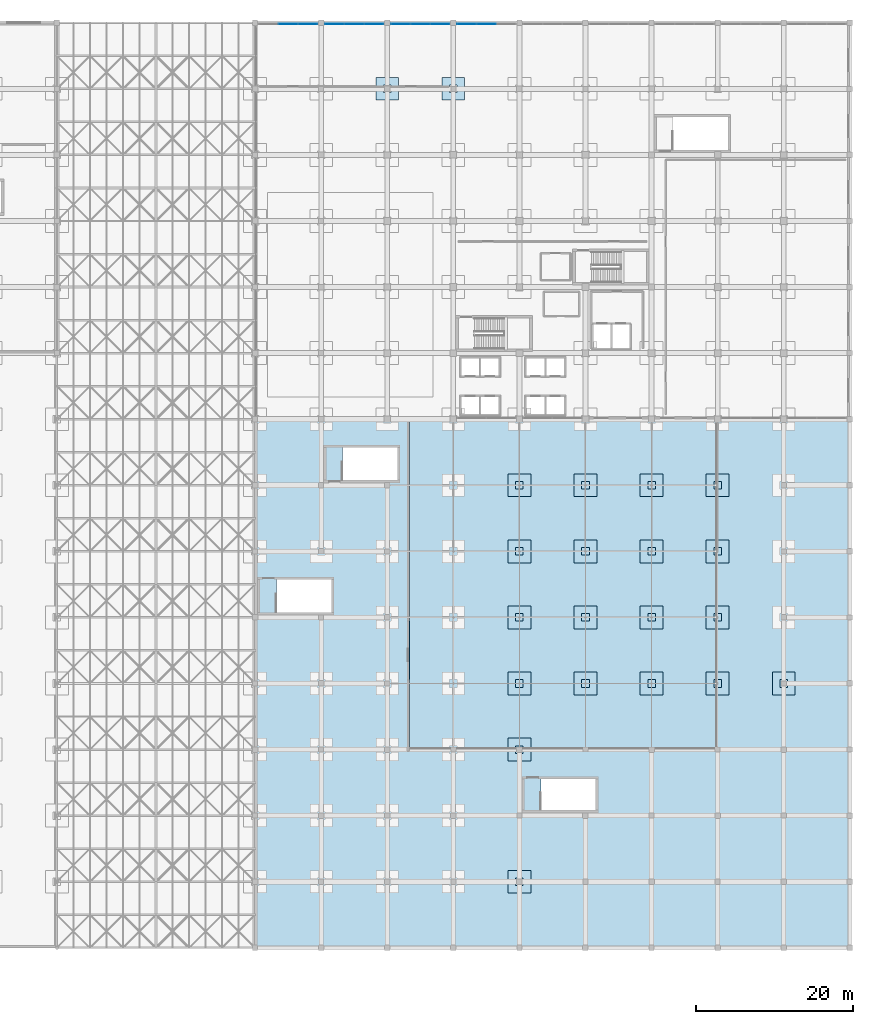
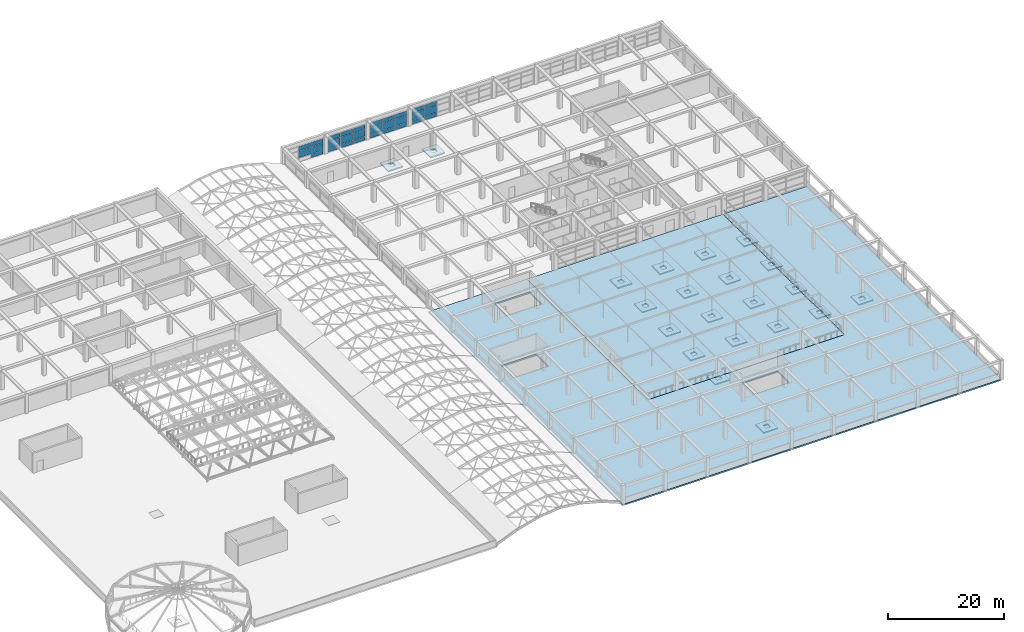
# One storey, part 70 of 85: 29 plates, 23 slabs, 4 elements without a shape of their own.
"""IFC4 building model written with IfcOpenShell, lengths in metres."""

from ifc_helpers import new_model, si_unit, direction, frame, origin, origin_2d, place, context, subcontext, project, spatial, polyline, rectangle, outline, extrude, material, layer, layer_set, type_object, element, aggregate, save


model = new_model("IFC4")

# Units and contexts
model_context = context("Model", 3, precision=1e-05, world=origin(), true_north=direction((0.0, 1.0)))
body_context = subcontext(model_context, "Body", "Model", "MODEL_VIEW")
ifc_project = project(units=[si_unit("LENGTHUNIT", "METRE"), si_unit("AREAUNIT", "SQUARE_METRE"), si_unit("VOLUMEUNIT", "CUBIC_METRE"), si_unit("PLANEANGLEUNIT", "RADIAN"), si_unit("MASSUNIT", "GRAM", prefix="KILO")], contexts=[model_context])

# Site, building, storey
site_placement = place(None, origin())
site = spatial("IfcSite", under=ifc_project, at=site_placement, CompositionType="ELEMENT")
building_placement = place(site_placement, origin())
building = spatial("IfcBuilding", under=site, at=building_placement, Name="Almacenes y Pasaje Nevantli", CompositionType="ELEMENT")
storey_placement = place(building_placement, frame((0.0, 0.0, 22.199951171875)))
storey = spatial("IfcBuildingStorey", under=building, at=storey_placement, Name="L05", CompositionType="ELEMENT", Elevation=22.199951171875)

# Curtain wall, plates
ifc_material_1 = material(Name="Thermally Broken Aluminium and Low-E Glass", Category="aluminium")
curtain_wall_type = type_object("IfcCurtainWallType", Name="CW-UNIT-PODIUM", PredefinedType="USERDEFINED", material=ifc_material_1)
curtain_wall_1_placement = place(storey_placement, origin())
curtain_wall_1 = element("IfcCurtainWall", 1, at=curtain_wall_1_placement, inside=storey, type_object=curtain_wall_type, Name="L05 Sky-Lobby North Curtain Wall Bay 12", ObjectType="UNITIZED CURTAIN WALL", PredefinedType="USERDEFINED")
ifc_material_2 = material(Name="Low-E Double Glazed Insulated Unit", Category="glass")
ifc_layer_1 = layer(ifc_material_2, 0.031982421875)
ifc_layer_set_1 = layer_set([ifc_layer_1], Name="Low-E Double Glazed Insulated Unit")
plate_type = type_object("IfcPlateType", Name="PL-IGU-32", PredefinedType="CURTAIN_PANEL", material=ifc_layer_set_1)
plate_1_placement = place(storey_placement, frame((96.60009765625, 117.449951171875, 0.927734375), z_axis=(0.0, 0.0, 1.0), x_axis=(1.0, 0.0, 0.0)))
plate_1 = element("IfcPlate", 2, at=plate_1_placement, type_object=plate_type, Name="CW-L05-083 panel 2.2", PredefinedType="CURTAIN_PANEL", context=body_context, shape_type="SweptSolid", body=[
    extrude(rectangle(XDim=2.445068359375, YDim=0.031982421875, at=origin_2d()), origin(), (0.0, 0.0, 1.0), 1.445068359375),
])
plate_2_placement = place(storey_placement, frame((96.60009765625, 117.449951171875, 2.427734375), z_axis=(0.0, 0.0, 1.0), x_axis=(1.0, 0.0, 0.0)))
plate_2 = element("IfcPlate", 3, at=plate_2_placement, type_object=plate_type, Name="CW-L05-083 panel 2.3", PredefinedType="CURTAIN_PANEL", context=body_context, shape_type="SweptSolid", body=[
    extrude(rectangle(XDim=2.445068359375, YDim=0.031982421875, at=origin_2d()), origin(), (0.0, 0.0, 1.0), 0.887451171875),
])
plate_3_placement = place(storey_placement, frame((99.086181640625, 117.449951171875, 0.05517578125), z_axis=(0.0, 0.0, 1.0), x_axis=(1.0, 0.0, 0.0)))
plate_3 = element("IfcPlate", 4, at=plate_3_placement, type_object=plate_type, Name="CW-L05-083 panel 3.1", PredefinedType="CURTAIN_PANEL", context=body_context, shape_type="SweptSolid", body=[
    extrude(rectangle(XDim=2.41748046875, YDim=0.031982421875, at=origin_2d()), origin(), (0.0, 0.0, 1.0), 0.8173828125),
])
plate_4_placement = place(storey_placement, frame((99.086181640625, 117.449951171875, 0.927734375), z_axis=(0.0, 0.0, 1.0), x_axis=(1.0, 0.0, 0.0)))
plate_4 = element("IfcPlate", 5, at=plate_4_placement, type_object=plate_type, Name="CW-L05-083 panel 3.2", PredefinedType="CURTAIN_PANEL", context=body_context, shape_type="SweptSolid", body=[
    extrude(rectangle(XDim=2.41748046875, YDim=0.031982421875, at=origin_2d()), origin(), (0.0, 0.0, 1.0), 1.445068359375),
])
plate_5_placement = place(storey_placement, frame((99.086181640625, 117.449951171875, 2.427734375), z_axis=(0.0, 0.0, 1.0), x_axis=(1.0, 0.0, 0.0)))
plate_5 = element("IfcPlate", 6, at=plate_5_placement, type_object=plate_type, Name="CW-L05-083 panel 3.3", PredefinedType="CURTAIN_PANEL", context=body_context, shape_type="SweptSolid", body=[
    extrude(rectangle(XDim=2.41748046875, YDim=0.031982421875, at=origin_2d()), origin(), (0.0, 0.0, 1.0), 0.887451171875),
])
aggregate(curtain_wall_1, [plate_1, plate_2, plate_3, plate_4, plate_5])

curtain_wall_2_placement = place(storey_placement, origin())
curtain_wall_2 = element("IfcCurtainWall", 7, at=curtain_wall_2_placement, inside=storey, type_object=curtain_wall_type, Name="L05 Sky-Lobby North Curtain Wall Bay 13", ObjectType="UNITIZED CURTAIN WALL", PredefinedType="USERDEFINED")
plate_6_placement = place(storey_placement, frame((102.513671875, 117.449951171875, 0.05517578125), z_axis=(0.0, 0.0, 1.0), x_axis=(1.0, 0.0, 0.0)))
plate_6 = element("IfcPlate", 8, at=plate_6_placement, type_object=plate_type, Name="CW-L05-084 panel 1.1", PredefinedType="CURTAIN_PANEL", context=body_context, shape_type="SweptSolid", body=[
    extrude(rectangle(XDim=2.41748046875, YDim=0.031982421875, at=origin_2d()), origin(), (0.0, 0.0, 1.0), 0.8173828125),
])
plate_7_placement = place(storey_placement, frame((102.513671875, 117.449951171875, 0.927734375), z_axis=(0.0, 0.0, 1.0), x_axis=(1.0, 0.0, 0.0)))
plate_7 = element("IfcPlate", 9, at=plate_7_placement, type_object=plate_type, Name="CW-L05-084 panel 1.2", PredefinedType="CURTAIN_PANEL", context=body_context, shape_type="SweptSolid", body=[
    extrude(rectangle(XDim=2.41748046875, YDim=0.031982421875, at=origin_2d()), origin(), (0.0, 0.0, 1.0), 1.445068359375),
])
plate_8_placement = place(storey_placement, frame((102.513671875, 117.449951171875, 2.427734375), z_axis=(0.0, 0.0, 1.0), x_axis=(1.0, 0.0, 0.0)))
plate_8 = element("IfcPlate", 10, at=plate_8_placement, type_object=plate_type, Name="CW-L05-084 panel 1.3", PredefinedType="CURTAIN_PANEL", context=body_context, shape_type="SweptSolid", body=[
    extrude(rectangle(XDim=2.41748046875, YDim=0.031982421875, at=origin_2d()), origin(), (0.0, 0.0, 1.0), 0.887451171875),
])
plate_9_placement = place(storey_placement, frame((105.0, 117.449951171875, 0.05517578125), z_axis=(0.0, 0.0, 1.0), x_axis=(1.0, 0.0, 0.0)))
plate_9 = element("IfcPlate", 11, at=plate_9_placement, type_object=plate_type, Name="CW-L05-084 panel 2.1", PredefinedType="CURTAIN_PANEL", context=body_context, shape_type="SweptSolid", body=[
    extrude(rectangle(XDim=2.445068359375, YDim=0.031982421875, at=origin_2d()), origin(), (0.0, 0.0, 1.0), 0.8173828125),
])
plate_10_placement = place(storey_placement, frame((105.0, 117.449951171875, 0.927734375), z_axis=(0.0, 0.0, 1.0), x_axis=(1.0, 0.0, 0.0)))
plate_10 = element("IfcPlate", 12, at=plate_10_placement, type_object=plate_type, Name="CW-L05-084 panel 2.2", PredefinedType="CURTAIN_PANEL", context=body_context, shape_type="SweptSolid", body=[
    extrude(rectangle(XDim=2.445068359375, YDim=0.031982421875, at=origin_2d()), origin(), (0.0, 0.0, 1.0), 1.445068359375),
])
plate_11_placement = place(storey_placement, frame((105.0, 117.449951171875, 2.427734375), z_axis=(0.0, 0.0, 1.0), x_axis=(1.0, 0.0, 0.0)))
plate_11 = element("IfcPlate", 13, at=plate_11_placement, type_object=plate_type, Name="CW-L05-084 panel 2.3", PredefinedType="CURTAIN_PANEL", context=body_context, shape_type="SweptSolid", body=[
    extrude(rectangle(XDim=2.445068359375, YDim=0.031982421875, at=origin_2d()), origin(), (0.0, 0.0, 1.0), 0.887451171875),
])
plate_12_placement = place(storey_placement, frame((107.486328125, 117.449951171875, 0.05517578125), z_axis=(0.0, 0.0, 1.0), x_axis=(1.0, 0.0, 0.0)))
plate_12 = element("IfcPlate", 14, at=plate_12_placement, type_object=plate_type, Name="CW-L05-084 panel 3.1", PredefinedType="CURTAIN_PANEL", context=body_context, shape_type="SweptSolid", body=[
    extrude(rectangle(XDim=2.41748046875, YDim=0.031982421875, at=origin_2d()), origin(), (0.0, 0.0, 1.0), 0.8173828125),
])
plate_13_placement = place(storey_placement, frame((107.486328125, 117.449951171875, 0.927734375), z_axis=(0.0, 0.0, 1.0), x_axis=(1.0, 0.0, 0.0)))
plate_13 = element("IfcPlate", 15, at=plate_13_placement, type_object=plate_type, Name="CW-L05-084 panel 3.2", PredefinedType="CURTAIN_PANEL", context=body_context, shape_type="SweptSolid", body=[
    extrude(rectangle(XDim=2.41748046875, YDim=0.031982421875, at=origin_2d()), origin(), (0.0, 0.0, 1.0), 1.445068359375),
])
plate_14_placement = place(storey_placement, frame((107.486328125, 117.449951171875, 2.427734375), z_axis=(0.0, 0.0, 1.0), x_axis=(1.0, 0.0, 0.0)))
plate_14 = element("IfcPlate", 16, at=plate_14_placement, type_object=plate_type, Name="CW-L05-084 panel 3.3", PredefinedType="CURTAIN_PANEL", context=body_context, shape_type="SweptSolid", body=[
    extrude(rectangle(XDim=2.41748046875, YDim=0.031982421875, at=origin_2d()), origin(), (0.0, 0.0, 1.0), 0.887451171875),
])
aggregate(curtain_wall_2, [plate_6, plate_7, plate_8, plate_9, plate_10, plate_11, plate_12, plate_13, plate_14])

curtain_wall_3_placement = place(storey_placement, origin())
curtain_wall_3 = element("IfcCurtainWall", 17, at=curtain_wall_3_placement, inside=storey, type_object=curtain_wall_type, Name="L05 Sky-Lobby North Curtain Wall Bay 14", ObjectType="UNITIZED CURTAIN WALL", PredefinedType="USERDEFINED")
plate_15_placement = place(storey_placement, frame((110.913818359375, 117.449951171875, 0.05517578125), z_axis=(0.0, 0.0, 1.0), x_axis=(1.0, 0.0, 0.0)))
plate_15 = element("IfcPlate", 18, at=plate_15_placement, type_object=plate_type, Name="CW-L05-085 panel 1.1", PredefinedType="CURTAIN_PANEL", context=body_context, shape_type="SweptSolid", body=[
    extrude(rectangle(XDim=2.41748046875, YDim=0.031982421875, at=origin_2d()), origin(), (0.0, 0.0, 1.0), 0.8173828125),
])
plate_16_placement = place(storey_placement, frame((110.913818359375, 117.449951171875, 0.927734375), z_axis=(0.0, 0.0, 1.0), x_axis=(1.0, 0.0, 0.0)))
plate_16 = element("IfcPlate", 19, at=plate_16_placement, type_object=plate_type, Name="CW-L05-085 panel 1.2", PredefinedType="CURTAIN_PANEL", context=body_context, shape_type="SweptSolid", body=[
    extrude(rectangle(XDim=2.41748046875, YDim=0.031982421875, at=origin_2d()), origin(), (0.0, 0.0, 1.0), 1.445068359375),
])
plate_17_placement = place(storey_placement, frame((110.913818359375, 117.449951171875, 2.427734375), z_axis=(0.0, 0.0, 1.0), x_axis=(1.0, 0.0, 0.0)))
plate_17 = element("IfcPlate", 20, at=plate_17_placement, type_object=plate_type, Name="CW-L05-085 panel 1.3", PredefinedType="CURTAIN_PANEL", context=body_context, shape_type="SweptSolid", body=[
    extrude(rectangle(XDim=2.41748046875, YDim=0.031982421875, at=origin_2d()), origin(), (0.0, 0.0, 1.0), 0.887451171875),
])
plate_18_placement = place(storey_placement, frame((113.39990234375, 117.449951171875, 0.05517578125), z_axis=(0.0, 0.0, 1.0), x_axis=(1.0, 0.0, 0.0)))
plate_18 = element("IfcPlate", 21, at=plate_18_placement, type_object=plate_type, Name="CW-L05-085 panel 2.1", PredefinedType="CURTAIN_PANEL", context=body_context, shape_type="SweptSolid", body=[
    extrude(rectangle(XDim=2.445068359375, YDim=0.031982421875, at=origin_2d()), origin(), (0.0, 0.0, 1.0), 0.8173828125),
])
plate_19_placement = place(storey_placement, frame((113.39990234375, 117.449951171875, 0.927734375), z_axis=(0.0, 0.0, 1.0), x_axis=(1.0, 0.0, 0.0)))
plate_19 = element("IfcPlate", 22, at=plate_19_placement, type_object=plate_type, Name="CW-L05-085 panel 2.2", PredefinedType="CURTAIN_PANEL", context=body_context, shape_type="SweptSolid", body=[
    extrude(rectangle(XDim=2.445068359375, YDim=0.031982421875, at=origin_2d()), origin(), (0.0, 0.0, 1.0), 1.445068359375),
])
plate_20_placement = place(storey_placement, frame((113.39990234375, 117.449951171875, 2.427734375), z_axis=(0.0, 0.0, 1.0), x_axis=(1.0, 0.0, 0.0)))
plate_20 = element("IfcPlate", 23, at=plate_20_placement, type_object=plate_type, Name="CW-L05-085 panel 2.3", PredefinedType="CURTAIN_PANEL", context=body_context, shape_type="SweptSolid", body=[
    extrude(rectangle(XDim=2.445068359375, YDim=0.031982421875, at=origin_2d()), origin(), (0.0, 0.0, 1.0), 0.887451171875),
])
plate_21_placement = place(storey_placement, frame((115.88623046875, 117.449951171875, 0.05517578125), z_axis=(0.0, 0.0, 1.0), x_axis=(1.0, 0.0, 0.0)))
plate_21 = element("IfcPlate", 24, at=plate_21_placement, type_object=plate_type, Name="CW-L05-085 panel 3.1", PredefinedType="CURTAIN_PANEL", context=body_context, shape_type="SweptSolid", body=[
    extrude(rectangle(XDim=2.41748046875, YDim=0.031982421875, at=origin_2d()), origin(), (0.0, 0.0, 1.0), 0.8173828125),
])
plate_22_placement = place(storey_placement, frame((115.88623046875, 117.449951171875, 0.927734375), z_axis=(0.0, 0.0, 1.0), x_axis=(1.0, 0.0, 0.0)))
plate_22 = element("IfcPlate", 25, at=plate_22_placement, type_object=plate_type, Name="CW-L05-085 panel 3.2", PredefinedType="CURTAIN_PANEL", context=body_context, shape_type="SweptSolid", body=[
    extrude(rectangle(XDim=2.41748046875, YDim=0.031982421875, at=origin_2d()), origin(), (0.0, 0.0, 1.0), 1.445068359375),
])
plate_23_placement = place(storey_placement, frame((115.88623046875, 117.449951171875, 2.427734375), z_axis=(0.0, 0.0, 1.0), x_axis=(1.0, 0.0, 0.0)))
plate_23 = element("IfcPlate", 26, at=plate_23_placement, type_object=plate_type, Name="CW-L05-085 panel 3.3", PredefinedType="CURTAIN_PANEL", context=body_context, shape_type="SweptSolid", body=[
    extrude(rectangle(XDim=2.41748046875, YDim=0.031982421875, at=origin_2d()), origin(), (0.0, 0.0, 1.0), 0.887451171875),
])
aggregate(curtain_wall_3, [plate_15, plate_16, plate_17, plate_18, plate_19, plate_20, plate_21, plate_22, plate_23])

curtain_wall_4_placement = place(storey_placement, origin())
curtain_wall_4 = element("IfcCurtainWall", 27, at=curtain_wall_4_placement, inside=storey, type_object=curtain_wall_type, Name="L05 Sky-Lobby North Curtain Wall Bay 15", ObjectType="UNITIZED CURTAIN WALL", PredefinedType="USERDEFINED")
plate_24_placement = place(storey_placement, frame((119.313720703125, 117.449951171875, 0.05517578125), z_axis=(0.0, 0.0, 1.0), x_axis=(1.0, 0.0, 0.0)))
plate_24 = element("IfcPlate", 28, at=plate_24_placement, type_object=plate_type, Name="CW-L05-086 panel 1.1", PredefinedType="CURTAIN_PANEL", context=body_context, shape_type="SweptSolid", body=[
    extrude(rectangle(XDim=2.41748046875, YDim=0.031982421875, at=origin_2d()), origin(), (0.0, 0.0, 1.0), 0.8173828125),
])
plate_25_placement = place(storey_placement, frame((119.313720703125, 117.449951171875, 0.927734375), z_axis=(0.0, 0.0, 1.0), x_axis=(1.0, 0.0, 0.0)))
plate_25 = element("IfcPlate", 29, at=plate_25_placement, type_object=plate_type, Name="CW-L05-086 panel 1.2", PredefinedType="CURTAIN_PANEL", context=body_context, shape_type="SweptSolid", body=[
    extrude(rectangle(XDim=2.41748046875, YDim=0.031982421875, at=origin_2d()), origin(), (0.0, 0.0, 1.0), 1.445068359375),
])
plate_26_placement = place(storey_placement, frame((119.313720703125, 117.449951171875, 2.427734375), z_axis=(0.0, 0.0, 1.0), x_axis=(1.0, 0.0, 0.0)))
plate_26 = element("IfcPlate", 30, at=plate_26_placement, type_object=plate_type, Name="CW-L05-086 panel 1.3", PredefinedType="CURTAIN_PANEL", context=body_context, shape_type="SweptSolid", body=[
    extrude(rectangle(XDim=2.41748046875, YDim=0.031982421875, at=origin_2d()), origin(), (0.0, 0.0, 1.0), 0.887451171875),
])
plate_27_placement = place(storey_placement, frame((121.800048828125, 117.449951171875, 0.05517578125), z_axis=(0.0, 0.0, 1.0), x_axis=(1.0, 0.0, 0.0)))
plate_27 = element("IfcPlate", 31, at=plate_27_placement, type_object=plate_type, Name="CW-L05-086 panel 2.1", PredefinedType="CURTAIN_PANEL", context=body_context, shape_type="SweptSolid", body=[
    extrude(rectangle(XDim=2.445068359375, YDim=0.031982421875, at=origin_2d()), origin(), (0.0, 0.0, 1.0), 0.8173828125),
])
plate_28_placement = place(storey_placement, frame((121.800048828125, 117.449951171875, 0.927734375), z_axis=(0.0, 0.0, 1.0), x_axis=(1.0, 0.0, 0.0)))
plate_28 = element("IfcPlate", 32, at=plate_28_placement, type_object=plate_type, Name="CW-L05-086 panel 2.2", PredefinedType="CURTAIN_PANEL", context=body_context, shape_type="SweptSolid", body=[
    extrude(rectangle(XDim=2.445068359375, YDim=0.031982421875, at=origin_2d()), origin(), (0.0, 0.0, 1.0), 1.445068359375),
])
plate_29_placement = place(storey_placement, frame((121.800048828125, 117.449951171875, 2.427734375), z_axis=(0.0, 0.0, 1.0), x_axis=(1.0, 0.0, 0.0)))
plate_29 = element("IfcPlate", 33, at=plate_29_placement, type_object=plate_type, Name="CW-L05-086 panel 2.3", PredefinedType="CURTAIN_PANEL", context=body_context, shape_type="SweptSolid", body=[
    extrude(rectangle(XDim=2.445068359375, YDim=0.031982421875, at=origin_2d()), origin(), (0.0, 0.0, 1.0), 0.887451171875),
])
aggregate(curtain_wall_4, [plate_24, plate_25, plate_26, plate_27, plate_28, plate_29])

# Slabs
ifc_material_3 = material(Name="Concrete C35/45", Category="concrete")
ifc_layer_2 = layer(ifc_material_3, 0.25)
ifc_layer_set_2 = layer_set([ifc_layer_2], Name="Concrete C35/45")
slab_type_1 = type_object("IfcSlabType", Name="SLB-DP-250", PredefinedType="USERDEFINED", material=ifc_layer_set_2)
slab_1_placement = place(storey_placement, frame((0.0, 0.0, -0.550048828125)))
element("IfcSlab", 34, at=slab_1_placement, inside=storey, type_object=slab_type_1, Name="L05 Punching-Shear Drop Panel DP-02 #1039", ObjectType="DROP PANEL", PredefinedType="USERDEFINED", context=body_context, shape_type="SweptSolid", body=[
    extrude(outline(polyline([(107.75, 107.75), (110.64990234375, 107.75), (110.64990234375, 110.64990234375), (107.75, 110.64990234375), (107.75, 107.75)]), holes=[polyline([(108.719970703125, 108.719970703125), (109.679931640625, 108.719970703125), (109.679931640625, 109.679931640625), (108.719970703125, 109.679931640625), (108.719970703125, 108.719970703125)])]), origin(), (0.0, 0.0, 1.0), 0.25),
])
slab_2_placement = place(storey_placement, frame((0.0, 0.0, -0.550048828125)))
element("IfcSlab", 35, at=slab_2_placement, inside=storey, type_object=slab_type_1, Name="L05 Punching-Shear Drop Panel DP-02 #1051", ObjectType="DROP PANEL", PredefinedType="USERDEFINED", context=body_context, shape_type="SweptSolid", body=[
    extrude(outline(polyline([(116.14990234375, 107.75), (119.050048828125, 107.75), (119.050048828125, 110.64990234375), (116.14990234375, 110.64990234375), (116.14990234375, 107.75)]), holes=[polyline([(117.1201171875, 108.719970703125), (118.080078125, 108.719970703125), (118.080078125, 109.679931640625), (117.1201171875, 109.679931640625), (117.1201171875, 108.719970703125)])]), origin(), (0.0, 0.0, 1.0), 0.25),
])
slab_3_placement = place(storey_placement, frame((0.0, 0.0, -0.550048828125)))
element("IfcSlab", 36, at=slab_3_placement, inside=storey, type_object=slab_type_1, Name="L05 Punching-Shear Drop Panel DP-02 #1052", ObjectType="DROP PANEL", PredefinedType="USERDEFINED", context=body_context, shape_type="SweptSolid", body=[
    extrude(outline(polyline([(124.550048828125, 6.949951171875), (127.449951171875, 6.949951171875), (127.449951171875, 9.85009765625), (124.550048828125, 9.85009765625), (124.550048828125, 6.949951171875)]), holes=[polyline([(125.52001953125, 7.919921875), (126.47998046875, 7.919921875), (126.47998046875, 8.8798828125), (125.52001953125, 8.8798828125), (125.52001953125, 7.919921875)])]), origin(), (0.0, 0.0, 1.0), 0.25),
])
slab_4_placement = place(storey_placement, frame((0.0, 0.0, -0.550048828125)))
element("IfcSlab", 37, at=slab_4_placement, inside=storey, type_object=slab_type_1, Name="L05 Punching-Shear Drop Panel DP-02 #1053", ObjectType="DROP PANEL", PredefinedType="USERDEFINED", context=body_context, shape_type="SweptSolid", body=[
    extrude(outline(polyline([(124.550048828125, 23.75), (127.449951171875, 23.75), (127.449951171875, 26.64990234375), (124.550048828125, 26.64990234375), (124.550048828125, 23.75)]), holes=[polyline([(125.52001953125, 24.719970703125), (126.47998046875, 24.719970703125), (126.47998046875, 25.679931640625), (125.52001953125, 25.679931640625), (125.52001953125, 24.719970703125)])]), origin(), (0.0, 0.0, 1.0), 0.25),
])
slab_5_placement = place(storey_placement, frame((0.0, 0.0, -0.550048828125)))
element("IfcSlab", 38, at=slab_5_placement, inside=storey, type_object=slab_type_1, Name="L05 Punching-Shear Drop Panel DP-02 #1054", ObjectType="DROP PANEL", PredefinedType="USERDEFINED", context=body_context, shape_type="SweptSolid", body=[
    extrude(outline(polyline([(124.550048828125, 32.14990234375), (127.449951171875, 32.14990234375), (127.449951171875, 35.050048828125), (124.550048828125, 35.050048828125), (124.550048828125, 32.14990234375)]), holes=[polyline([(125.52001953125, 33.1201171875), (126.47998046875, 33.1201171875), (126.47998046875, 34.080078125), (125.52001953125, 34.080078125), (125.52001953125, 33.1201171875)])]), origin(), (0.0, 0.0, 1.0), 0.25),
])
slab_6_placement = place(storey_placement, frame((0.0, 0.0, -0.550048828125)))
element("IfcSlab", 39, at=slab_6_placement, inside=storey, type_object=slab_type_1, Name="L05 Punching-Shear Drop Panel DP-02 #1055", ObjectType="DROP PANEL", PredefinedType="USERDEFINED", context=body_context, shape_type="SweptSolid", body=[
    extrude(outline(polyline([(124.550048828125, 40.550048828125), (127.449951171875, 40.550048828125), (127.449951171875, 43.449951171875), (124.550048828125, 43.449951171875), (124.550048828125, 40.550048828125)]), holes=[polyline([(125.52001953125, 41.52001953125), (126.47998046875, 41.52001953125), (126.47998046875, 42.47998046875), (125.52001953125, 42.47998046875), (125.52001953125, 41.52001953125)])]), origin(), (0.0, 0.0, 1.0), 0.25),
])
slab_7_placement = place(storey_placement, frame((0.0, 0.0, -0.550048828125)))
element("IfcSlab", 40, at=slab_7_placement, inside=storey, type_object=slab_type_1, Name="L05 Punching-Shear Drop Panel DP-02 #1056", ObjectType="DROP PANEL", PredefinedType="USERDEFINED", context=body_context, shape_type="SweptSolid", body=[
    extrude(outline(polyline([(124.550048828125, 48.949951171875), (127.449951171875, 48.949951171875), (127.449951171875, 51.85009765625), (124.550048828125, 51.85009765625), (124.550048828125, 48.949951171875)]), holes=[polyline([(125.52001953125, 49.919921875), (126.47998046875, 49.919921875), (126.47998046875, 50.8798828125), (125.52001953125, 50.8798828125), (125.52001953125, 49.919921875)])]), origin(), (0.0, 0.0, 1.0), 0.25),
])
slab_8_placement = place(storey_placement, frame((0.0, 0.0, -0.550048828125)))
element("IfcSlab", 41, at=slab_8_placement, inside=storey, type_object=slab_type_1, Name="L05 Punching-Shear Drop Panel DP-02 #1057", ObjectType="DROP PANEL", PredefinedType="USERDEFINED", context=body_context, shape_type="SweptSolid", body=[
    extrude(outline(polyline([(124.550048828125, 57.35009765625), (127.449951171875, 57.35009765625), (127.449951171875, 60.25), (124.550048828125, 60.25), (124.550048828125, 57.35009765625)]), holes=[polyline([(125.52001953125, 58.320068359375), (126.47998046875, 58.320068359375), (126.47998046875, 59.280029296875), (125.52001953125, 59.280029296875), (125.52001953125, 58.320068359375)])]), origin(), (0.0, 0.0, 1.0), 0.25),
])
slab_9_placement = place(storey_placement, frame((0.0, 0.0, -0.550048828125)))
element("IfcSlab", 42, at=slab_9_placement, inside=storey, type_object=slab_type_1, Name="L05 Punching-Shear Drop Panel DP-02 #1063", ObjectType="DROP PANEL", PredefinedType="USERDEFINED", context=body_context, shape_type="SweptSolid", body=[
    extrude(outline(polyline([(132.949951171875, 32.14990234375), (135.85009765625, 32.14990234375), (135.85009765625, 35.050048828125), (132.949951171875, 35.050048828125), (132.949951171875, 32.14990234375)]), holes=[polyline([(133.919921875, 33.1201171875), (134.8798828125, 33.1201171875), (134.8798828125, 34.080078125), (133.919921875, 34.080078125), (133.919921875, 33.1201171875)])]), origin(), (0.0, 0.0, 1.0), 0.25),
])
slab_10_placement = place(storey_placement, frame((0.0, 0.0, -0.550048828125)))
element("IfcSlab", 43, at=slab_10_placement, inside=storey, type_object=slab_type_1, Name="L05 Punching-Shear Drop Panel DP-02 #1064", ObjectType="DROP PANEL", PredefinedType="USERDEFINED", context=body_context, shape_type="SweptSolid", body=[
    extrude(outline(polyline([(132.949951171875, 40.550048828125), (135.85009765625, 40.550048828125), (135.85009765625, 43.449951171875), (132.949951171875, 43.449951171875), (132.949951171875, 40.550048828125)]), holes=[polyline([(133.919921875, 41.52001953125), (134.8798828125, 41.52001953125), (134.8798828125, 42.47998046875), (133.919921875, 42.47998046875), (133.919921875, 41.52001953125)])]), origin(), (0.0, 0.0, 1.0), 0.25),
])
slab_11_placement = place(storey_placement, frame((0.0, 0.0, -0.550048828125)))
element("IfcSlab", 44, at=slab_11_placement, inside=storey, type_object=slab_type_1, Name="L05 Punching-Shear Drop Panel DP-02 #1065", ObjectType="DROP PANEL", PredefinedType="USERDEFINED", context=body_context, shape_type="SweptSolid", body=[
    extrude(outline(polyline([(132.949951171875, 48.949951171875), (135.85009765625, 48.949951171875), (135.85009765625, 51.85009765625), (132.949951171875, 51.85009765625), (132.949951171875, 48.949951171875)]), holes=[polyline([(133.919921875, 49.919921875), (134.8798828125, 49.919921875), (134.8798828125, 50.8798828125), (133.919921875, 50.8798828125), (133.919921875, 49.919921875)])]), origin(), (0.0, 0.0, 1.0), 0.25),
])
slab_12_placement = place(storey_placement, frame((0.0, 0.0, -0.550048828125)))
element("IfcSlab", 45, at=slab_12_placement, inside=storey, type_object=slab_type_1, Name="L05 Punching-Shear Drop Panel DP-02 #1066", ObjectType="DROP PANEL", PredefinedType="USERDEFINED", context=body_context, shape_type="SweptSolid", body=[
    extrude(outline(polyline([(132.949951171875, 57.35009765625), (135.85009765625, 57.35009765625), (135.85009765625, 60.25), (132.949951171875, 60.25), (132.949951171875, 57.35009765625)]), holes=[polyline([(133.919921875, 58.320068359375), (134.8798828125, 58.320068359375), (134.8798828125, 59.280029296875), (133.919921875, 59.280029296875), (133.919921875, 58.320068359375)])]), origin(), (0.0, 0.0, 1.0), 0.25),
])
slab_13_placement = place(storey_placement, frame((0.0, 0.0, -0.550048828125)))
element("IfcSlab", 46, at=slab_13_placement, inside=storey, type_object=slab_type_1, Name="L05 Punching-Shear Drop Panel DP-02 #1072", ObjectType="DROP PANEL", PredefinedType="USERDEFINED", context=body_context, shape_type="SweptSolid", body=[
    extrude(outline(polyline([(141.35009765625, 32.14990234375), (144.25, 32.14990234375), (144.25, 35.050048828125), (141.35009765625, 35.050048828125), (141.35009765625, 32.14990234375)]), holes=[polyline([(142.320068359375, 33.1201171875), (143.280029296875, 33.1201171875), (143.280029296875, 34.080078125), (142.320068359375, 34.080078125), (142.320068359375, 33.1201171875)])]), origin(), (0.0, 0.0, 1.0), 0.25),
])
slab_14_placement = place(storey_placement, frame((0.0, 0.0, -0.550048828125)))
element("IfcSlab", 47, at=slab_14_placement, inside=storey, type_object=slab_type_1, Name="L05 Punching-Shear Drop Panel DP-02 #1073", ObjectType="DROP PANEL", PredefinedType="USERDEFINED", context=body_context, shape_type="SweptSolid", body=[
    extrude(outline(polyline([(141.35009765625, 40.550048828125), (144.25, 40.550048828125), (144.25, 43.449951171875), (141.35009765625, 43.449951171875), (141.35009765625, 40.550048828125)]), holes=[polyline([(142.320068359375, 41.52001953125), (143.280029296875, 41.52001953125), (143.280029296875, 42.47998046875), (142.320068359375, 42.47998046875), (142.320068359375, 41.52001953125)])]), origin(), (0.0, 0.0, 1.0), 0.25),
])
slab_15_placement = place(storey_placement, frame((0.0, 0.0, -0.550048828125)))
element("IfcSlab", 48, at=slab_15_placement, inside=storey, type_object=slab_type_1, Name="L05 Punching-Shear Drop Panel DP-02 #1074", ObjectType="DROP PANEL", PredefinedType="USERDEFINED", context=body_context, shape_type="SweptSolid", body=[
    extrude(outline(polyline([(141.35009765625, 48.949951171875), (144.25, 48.949951171875), (144.25, 51.85009765625), (141.35009765625, 51.85009765625), (141.35009765625, 48.949951171875)]), holes=[polyline([(142.320068359375, 49.919921875), (143.280029296875, 49.919921875), (143.280029296875, 50.8798828125), (142.320068359375, 50.8798828125), (142.320068359375, 49.919921875)])]), origin(), (0.0, 0.0, 1.0), 0.25),
])
slab_16_placement = place(storey_placement, frame((0.0, 0.0, -0.550048828125)))
element("IfcSlab", 49, at=slab_16_placement, inside=storey, type_object=slab_type_1, Name="L05 Punching-Shear Drop Panel DP-02 #1075", ObjectType="DROP PANEL", PredefinedType="USERDEFINED", context=body_context, shape_type="SweptSolid", body=[
    extrude(outline(polyline([(141.35009765625, 57.35009765625), (144.25, 57.35009765625), (144.25, 60.25), (141.35009765625, 60.25), (141.35009765625, 57.35009765625)]), holes=[polyline([(142.320068359375, 58.320068359375), (143.280029296875, 58.320068359375), (143.280029296875, 59.280029296875), (142.320068359375, 59.280029296875), (142.320068359375, 58.320068359375)])]), origin(), (0.0, 0.0, 1.0), 0.25),
])
slab_17_placement = place(storey_placement, frame((0.0, 0.0, -0.550048828125)))
element("IfcSlab", 50, at=slab_17_placement, inside=storey, type_object=slab_type_1, Name="L05 Punching-Shear Drop Panel DP-02 #1080", ObjectType="DROP PANEL", PredefinedType="USERDEFINED", context=body_context, shape_type="SweptSolid", body=[
    extrude(outline(polyline([(149.75, 32.14990234375), (152.64990234375, 32.14990234375), (152.64990234375, 35.050048828125), (149.75, 35.050048828125), (149.75, 32.14990234375)]), holes=[polyline([(150.719970703125, 33.1201171875), (151.679931640625, 33.1201171875), (151.679931640625, 34.080078125), (150.719970703125, 34.080078125), (150.719970703125, 33.1201171875)])]), origin(), (0.0, 0.0, 1.0), 0.25),
])
slab_18_placement = place(storey_placement, frame((0.0, 0.0, -0.550048828125)))
element("IfcSlab", 51, at=slab_18_placement, inside=storey, type_object=slab_type_1, Name="L05 Punching-Shear Drop Panel DP-02 #1081", ObjectType="DROP PANEL", PredefinedType="USERDEFINED", context=body_context, shape_type="SweptSolid", body=[
    extrude(outline(polyline([(149.75, 40.550048828125), (152.64990234375, 40.550048828125), (152.64990234375, 43.449951171875), (149.75, 43.449951171875), (149.75, 40.550048828125)]), holes=[polyline([(150.719970703125, 41.52001953125), (151.679931640625, 41.52001953125), (151.679931640625, 42.47998046875), (150.719970703125, 42.47998046875), (150.719970703125, 41.52001953125)])]), origin(), (0.0, 0.0, 1.0), 0.25),
])
slab_19_placement = place(storey_placement, frame((0.0, 0.0, -0.550048828125)))
element("IfcSlab", 52, at=slab_19_placement, inside=storey, type_object=slab_type_1, Name="L05 Punching-Shear Drop Panel DP-02 #1082", ObjectType="DROP PANEL", PredefinedType="USERDEFINED", context=body_context, shape_type="SweptSolid", body=[
    extrude(outline(polyline([(149.75, 48.949951171875), (152.64990234375, 48.949951171875), (152.64990234375, 51.85009765625), (149.75, 51.85009765625), (149.75, 48.949951171875)]), holes=[polyline([(150.719970703125, 49.919921875), (151.679931640625, 49.919921875), (151.679931640625, 50.8798828125), (150.719970703125, 50.8798828125), (150.719970703125, 49.919921875)])]), origin(), (0.0, 0.0, 1.0), 0.25),
])
slab_20_placement = place(storey_placement, frame((0.0, 0.0, -0.550048828125)))
element("IfcSlab", 53, at=slab_20_placement, inside=storey, type_object=slab_type_1, Name="L05 Punching-Shear Drop Panel DP-02 #1083", ObjectType="DROP PANEL", PredefinedType="USERDEFINED", context=body_context, shape_type="SweptSolid", body=[
    extrude(outline(polyline([(149.75, 57.35009765625), (152.64990234375, 57.35009765625), (152.64990234375, 60.25), (149.75, 60.25), (149.75, 57.35009765625)]), holes=[polyline([(150.719970703125, 58.320068359375), (151.679931640625, 58.320068359375), (151.679931640625, 59.280029296875), (150.719970703125, 59.280029296875), (150.719970703125, 58.320068359375)])]), origin(), (0.0, 0.0, 1.0), 0.25),
])
slab_21_placement = place(storey_placement, frame((0.0, 0.0, -0.550048828125)))
element("IfcSlab", 54, at=slab_21_placement, inside=storey, type_object=slab_type_1, Name="L05 Punching-Shear Drop Panel DP-02 #1089", ObjectType="DROP PANEL", PredefinedType="USERDEFINED", context=body_context, shape_type="SweptSolid", body=[
    extrude(outline(polyline([(158.14990234375, 32.14990234375), (161.050048828125, 32.14990234375), (161.050048828125, 35.050048828125), (158.14990234375, 35.050048828125), (158.14990234375, 32.14990234375)]), holes=[polyline([(159.1201171875, 33.1201171875), (160.080078125, 33.1201171875), (160.080078125, 34.080078125), (159.1201171875, 34.080078125), (159.1201171875, 33.1201171875)])]), origin(), (0.0, 0.0, 1.0), 0.25),
])
ifc_material_4 = material(Name="Concrete C35/45", Category="concrete")
ifc_layer_3 = layer(ifc_material_4, 0.300048828125)
ifc_layer_set_3 = layer_set([ifc_layer_3], Name="Concrete C35/45")
slab_type_2 = type_object("IfcSlabType", Name="SLB-FLR-300", PredefinedType="FLOOR", material=ifc_layer_set_3)
slab_22_placement = place(storey_placement, frame((0.0, 0.0, -0.300048828125)))
element("IfcSlab", 55, at=slab_22_placement, inside=storey, type_object=slab_type_2, Name="L05 South-East Exit Core Transfer Gallery Slab", PredefinedType="FLOOR", context=body_context, shape_type="SweptSolid", body=[
    extrude(outline(polyline([(92.39990234375, 0.0), (168.0, 0.0), (168.0, 67.199951171875), (151.199951171875, 67.199951171875), (151.199951171875, 25.199951171875), (112.0, 25.199951171875), (112.0, 67.199951171875), (92.39990234375, 67.199951171875), (92.39990234375, 0.0)]), holes=[polyline([(128.715087890625, 17.5), (135.699951171875, 17.5), (135.699951171875, 21.449951171875), (128.715087890625, 21.449951171875), (128.715087890625, 17.5)]), polyline([(95.114990234375, 42.64990234375), (102.10009765625, 42.64990234375), (102.10009765625, 46.800048828125), (95.114990234375, 46.800048828125), (95.114990234375, 42.64990234375)]), polyline([(103.514892578125, 59.449951171875), (110.5, 59.449951171875), (110.5, 63.60009765625), (103.514892578125, 63.60009765625), (103.514892578125, 59.449951171875)])]), origin(), (0.0, 0.0, 1.0), 0.300048828125),
])
ifc_material_5 = material(Name="Concrete C35/45", Category="concrete")
ifc_layer_4 = layer(ifc_material_5, 0.300048828125)
ifc_layer_set_4 = layer_set([ifc_layer_4], Name="Concrete C35/45")
slab_type_3 = type_object("IfcSlabType", Name="SLB-ROOF-300", PredefinedType="ROOF", material=ifc_layer_set_4)
slab_23_placement = place(storey_placement, frame((0.0, 0.0, -0.300048828125)))
element("IfcSlab", 56, at=slab_23_placement, inside=storey, type_object=slab_type_3, Name="L05 Ziggurat Walkable Roof Terrace Slab", PredefinedType="ROOF", context=body_context, shape_type="SweptSolid", body=[
    extrude(outline(polyline([(112.0, 25.199951171875), (151.199951171875, 25.199951171875), (151.199951171875, 67.199951171875), (112.0, 67.199951171875), (112.0, 25.199951171875)])), origin(), (0.0, 0.0, 1.0), 0.300048828125),
])

save(model, "model.ifc")
